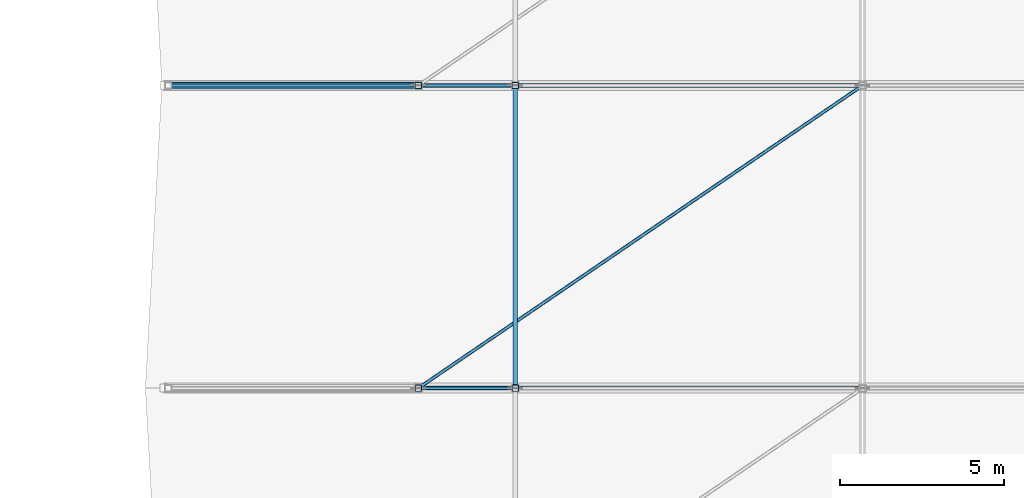
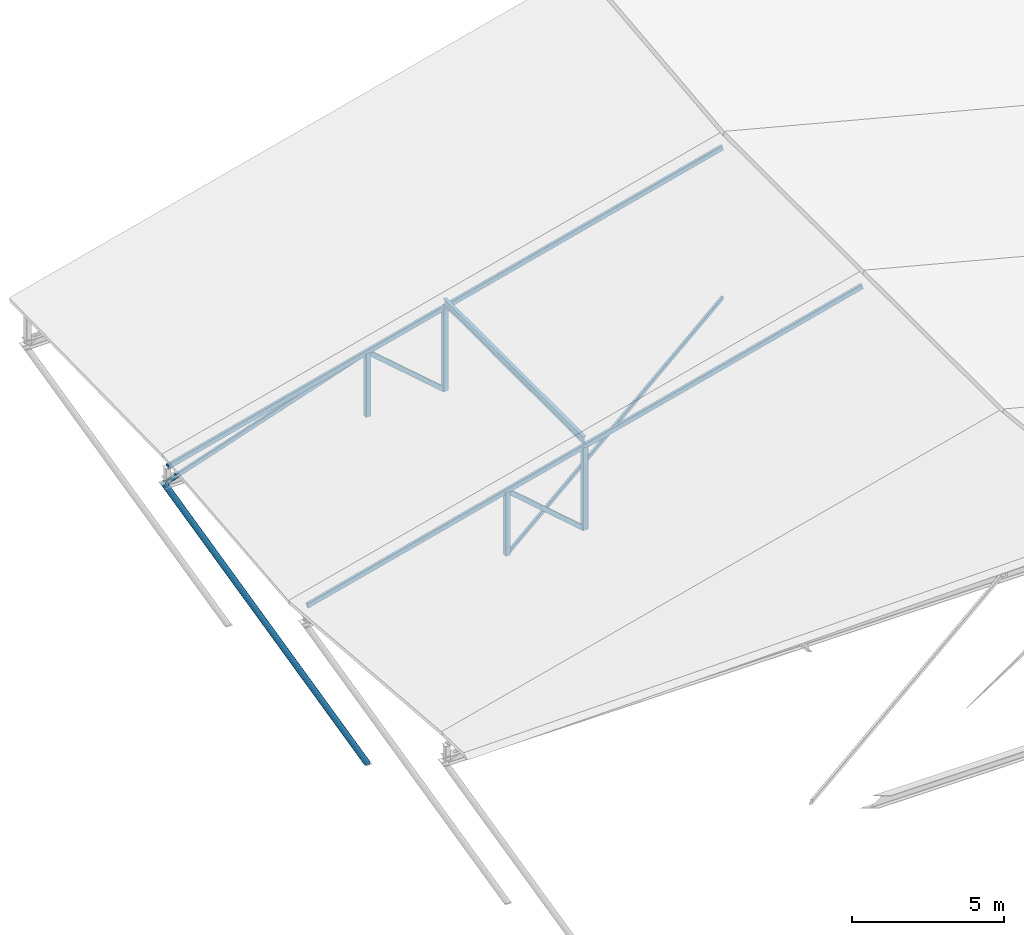
# One storey, part 15 of 56: 12 members.
"""IFC4 building model written with IfcOpenShell, lengths in metres."""

import ifcopenshell
import ifcopenshell.guid

model = None  # the IFC model being written
_history = None  # IfcOwnerHistory: only IFC2X3 demands one
_inside = {}  # id of a spatial element -> (the spatial element, [elements in it])
_under = {}  # id of a project, library or spatial element -> (it, [spatial elements below it])
_declared = {}  # id of a project -> (the project, [libraries it declares])
_typed = {}  # id of a type object -> (the type object, [elements of that type])
_made_of = {}  # id of a material, layer set ... -> (it, [elements and type objects made of it])


def new_model(schema):
    """Start an empty IFC model of exactly this schema.

    Asked for "IFC4X3", IfcOpenShell would pick the latest addendum, in which some entities
    have other attributes; the version numbers below select the first issue.
    IFC2X3 requires an IfcOwnerHistory on every rooted entity: one is made here for all.
    """
    global model, _history
    if schema == "IFC4X3":
        model = ifcopenshell.file(schema_version=(4, 3, 0, 0))
    else:
        model = ifcopenshell.file(schema=schema)
    _inside.clear()
    _under.clear()
    _declared.clear()
    _typed.clear()
    _made_of.clear()
    _history = None
    if model.schema == "IFC2X3":
        org = make("IfcOrganization", Name="unknown")
        user = make(
            "IfcPersonAndOrganization",
            ThePerson=make("IfcPerson", FamilyName="unknown"),
            TheOrganization=org,
        )
        app = make(
            "IfcApplication",
            ApplicationDeveloper=org,
            Version="unknown",
            ApplicationFullName="unknown",
            ApplicationIdentifier="unknown",
        )
        _history = make(
            "IfcOwnerHistory",
            OwningUser=user,
            OwningApplication=app,
            ChangeAction="ADDED",
            CreationDate=0,
        )
    return model


def make(cls, **values):
    """One entity of the class cls with the attributes given. An attribute that is None is left unset."""
    return model.create_entity(
        cls, **{name: value for name, value in values.items() if value is not None}
    )


def rooted(cls, **values):
    """An entity with a GlobalId (a new one), such as an element, a storey or a relation."""
    return make(cls, GlobalId=ifcopenshell.guid.new(), OwnerHistory=_history, **values)


def si_unit(unit_type, name, prefix=None):
    """IfcSIUnit, for example si_unit("LENGTHUNIT", "METRE", prefix="MILLI")."""
    return make("IfcSIUnit", UnitType=unit_type, Prefix=prefix, Name=name)


def assignment(units):
    """IfcUnitAssignment: the units of a project."""
    return None if units is None else make("IfcUnitAssignment", Units=units)


def point(xyz):
    """IfcCartesianPoint."""
    return None if xyz is None else make("IfcCartesianPoint", Coordinates=xyz)


def direction(xyz):
    """IfcDirection."""
    return None if xyz is None else make("IfcDirection", DirectionRatios=xyz)


def frame(location, z_axis=None, x_axis=None):
    """IfcAxis2Placement3D, a coordinate frame: its origin and axes. An axis left out is left unset."""
    return make(
        "IfcAxis2Placement3D",
        Location=point(location),
        Axis=direction(z_axis),
        RefDirection=direction(x_axis),
    )


def frame_2d(location, x_axis=None):
    """IfcAxis2Placement2D, a coordinate frame in the plane: its origin and x axis."""
    return make(
        "IfcAxis2Placement2D", Location=point(location), RefDirection=direction(x_axis)
    )


def origin():
    """The frame at (0, 0, 0) with its axes left unset."""
    return frame((0.0, 0.0, 0.0))


def origin_2d():
    """The frame at (0, 0) in the plane with its x axis left unset."""
    return frame_2d((0.0, 0.0))


def place(relative_to, where):
    """IfcLocalPlacement: puts the frame where relative to a parent placement (None: the world)."""
    return make(
        "IfcLocalPlacement", PlacementRelTo=relative_to, RelativePlacement=where
    )


def context(
    kind, dimensions, precision=None, world=None, true_north=None, identifier=None
):
    """IfcGeometricRepresentationContext, for example the 3D "Model" context."""
    return make(
        "IfcGeometricRepresentationContext",
        ContextIdentifier=identifier,
        ContextType=kind,
        CoordinateSpaceDimension=dimensions,
        Precision=precision,
        WorldCoordinateSystem=world,
        TrueNorth=true_north,
    )


def subcontext(parent, identifier, kind, view, scale=None):
    """IfcGeometricRepresentationSubContext, for example "Body" below "Model"."""
    return make(
        "IfcGeometricRepresentationSubContext",
        ContextIdentifier=identifier,
        ContextType=kind,
        ParentContext=parent,
        TargetScale=scale,
        TargetView=view,
    )


def project(units=None, contexts=None):
    """IfcProject with its units and contexts."""
    return rooted(
        "IfcProject",
        Name="project",
        RepresentationContexts=contexts,
        UnitsInContext=assignment(units),
    )


def spatial(cls, under=None, at=None, **own):
    """A site, building, storey or space (cls), placed at a placement, below another one or the project."""
    s = rooted(cls, ObjectPlacement=at, **own)
    if under is not None:
        _under.setdefault(under.id(), (under, []))[1].append(s)
    return s


def profile(cls, at=None, kind="AREA", **sizes):
    """A parametric profile (cls). Its sizes go by their IFC names, for example OverallWidth=200.0."""
    return make(cls, ProfileType=kind, Position=at, **sizes)


def hollow_rectangle(**sizes):
    """IfcRectangleHollowProfileDef."""
    return profile("IfcRectangleHollowProfileDef", **sizes)


def hollow_circle(**sizes):
    """IfcCircleHollowProfileDef."""
    return profile("IfcCircleHollowProfileDef", **sizes)


def i_section(**sizes):
    """IfcIShapeProfileDef."""
    return profile("IfcIShapeProfileDef", **sizes)


def extrude(swept, where, along, depth):
    """IfcExtrudedAreaSolid: the profile swept, set in the frame where, extruded along a direction by depth."""
    return make(
        "IfcExtrudedAreaSolid",
        SweptArea=swept,
        Position=where,
        ExtrudedDirection=direction(along),
        Depth=depth,
    )


def shape(context_of_items, identifier, shape_type, items):
    """IfcShapeRepresentation: the items that make up one representation, for example the "Body"."""
    return make(
        "IfcShapeRepresentation",
        ContextOfItems=context_of_items,
        RepresentationIdentifier=identifier,
        RepresentationType=shape_type,
        Items=items,
    )


def material(Name=None, Category=None):
    """IfcMaterial."""
    return make("IfcMaterial", Name=Name, Category=Category)


def material_profile(
    of_material, cross_section, Name=None, Category=None, Priority=None
):
    """IfcMaterialProfile: a cross section and its material."""
    return make(
        "IfcMaterialProfile",
        Name=Name,
        Material=of_material,
        Profile=cross_section,
        Priority=Priority,
        Category=Category,
    )


def profile_set(profiles, Name=None, composite=None):
    """IfcMaterialProfileSet."""
    return make(
        "IfcMaterialProfileSet",
        Name=Name,
        MaterialProfiles=profiles,
        CompositeProfile=composite,
    )


def made_of(thing, what):
    """Note that an element or type object is made of a material, layer set ...; save() writes the relation."""
    if what is not None:
        _made_of.setdefault(what.id(), (what, []))[1].append(thing)
    return thing


def type_object(cls, material=None, **own):
    """A type object (cls), such as IfcWallType, which elements share."""
    return made_of(rooted(cls, **own), material)


def element(
    cls,
    number,
    at=None,
    inside=None,
    cuts=None,
    type_object=None,
    material=None,
    context=None,
    identifier="Body",
    shape_type=None,
    held_by="IfcProductDefinitionShape",
    body=None,
    shapes=None,
    **own,
):
    """One element of the class cls, such as IfcWall. Its Tag is "e" and its number.

    at: its placement. inside: the storey or other place that contains it. cuts: it is an
    opening in that element (IfcRelVoidsElement). A single representation is given by context,
    identifier, shape_type and body (its items); several are given by shapes. held_by: the class
    of the entity that holds the representations. save() writes the other relations.
    """
    e = rooted(cls, Tag="e%d" % number, ObjectPlacement=at, **own)
    if body is not None:
        shapes = [shape(context, identifier, shape_type, body)]
    if shapes is not None:
        e.Representation = make(held_by, Representations=shapes)
    if inside is not None:
        _inside.setdefault(inside.id(), (inside, []))[1].append(e)
    if cuts is not None:
        rooted(
            "IfcRelVoidsElement", RelatingBuildingElement=cuts, RelatedOpeningElement=e
        )
    if type_object is not None:
        _typed.setdefault(type_object.id(), (type_object, []))[1].append(e)
    return made_of(e, material)


def aggregate(whole, parts):
    """IfcRelAggregates: a whole, such as a stair, and the parts it consists of."""
    return rooted("IfcRelAggregates", RelatingObject=whole, RelatedObjects=parts)


def save(model, path):
    """Write the relations noted so far, then the file.

    IfcRelAggregates (storeys below a building ...), IfcRelContainedInSpatialStructure (elements
    in a storey), IfcRelDefinesByType, IfcRelAssociatesMaterial and IfcRelDeclares: one each for
    every whole, place, type object, material and project.
    """
    for whole, parts in _under.values():
        aggregate(whole, parts)
    for where, things in _inside.values():
        rooted(
            "IfcRelContainedInSpatialStructure",
            RelatedElements=things,
            RelatingStructure=where,
        )
    for kind, things in _typed.values():
        rooted("IfcRelDefinesByType", RelatedObjects=things, RelatingType=kind)
    for what, things in _made_of.values():
        rooted("IfcRelAssociatesMaterial", RelatedObjects=things, RelatingMaterial=what)
    for by, libraries in _declared.values():
        rooted("IfcRelDeclares", RelatingContext=by, RelatedDefinitions=libraries)
    model.write(path)


model = new_model("IFC4")

# Units and contexts
model_context = context("Model", 3, precision=1e-05, world=origin(), true_north=direction((0.0, 1.0)))
body_context = subcontext(model_context, "Body", "Model", "MODEL_VIEW")
ifc_project = project(units=[si_unit("LENGTHUNIT", "METRE"), si_unit("AREAUNIT", "SQUARE_METRE"), si_unit("VOLUMEUNIT", "CUBIC_METRE"), si_unit("PLANEANGLEUNIT", "RADIAN"), si_unit("MASSUNIT", "GRAM", prefix="KILO")], contexts=[model_context])

# Site, building, storey
site_placement = place(None, origin())
site = spatial("IfcSite", under=ifc_project, at=site_placement, CompositionType="ELEMENT")
building_placement = place(site_placement, origin())
building = spatial("IfcBuilding", under=site, at=building_placement, Name="Bozkorgan Art Gallery", CompositionType="ELEMENT")
storey_placement = place(building_placement, frame((0.0, 0.0, 24.0)))
storey = spatial("IfcBuildingStorey", under=building, at=storey_placement, Name="L05", CompositionType="ELEMENT", Elevation=24.0)

# Members
ifc_material = material(Name="Steel S355J2", Category="steel")
ifc_material_profile_1 = material_profile(ifc_material, hollow_circle(Radius=0.109619140625, WallThickness=0.010009765625, at=origin_2d()), Name="CHS 219.1x10")
ifc_profile_set_1 = profile_set([ifc_material_profile_1], Name="Steel S355J2")
member_type_1 = type_object("IfcMemberType", Name="MEMBER-ES-44", PredefinedType="BRACE", material=ifc_profile_set_1)
member_1_placement = place(storey_placement, frame((74.0, 75.199951171875, -13.800048828125), z_axis=(-0.484367254786, 0.0, 0.874864768116), x_axis=(0.0, -1.0, 0.0)))
element("IfcMember", 1, at=member_1_placement, inside=storey, type_object=member_type_1, Name="ROOF-V4-MAIN west swept-eave diagonal tree-strut 4", PredefinedType="BRACE", context=body_context, shape_type="SweptSolid", body=[
    extrude(hollow_circle(Radius=0.109619140625, WallThickness=0.010009765625, at=origin_2d()), origin(), (0.0, 0.0, 1.0), 15.9794921875),
])
ifc_material_profile_2 = material_profile(ifc_material, i_section(OverallWidth=0.135009765625, OverallDepth=0.27001953125, WebThickness=0.006591796875, FlangeThickness=0.01025390625, FilletRadius=0.014892578125, at=origin_2d()), Name="IPE 270")
ifc_profile_set_2 = profile_set([ifc_material_profile_2], Name="Steel S355J2")
member_type_2 = type_object("IfcMemberType", Name="MEMBER-PR-57", PredefinedType="PURLIN", material=ifc_profile_set_2)
member_2_placement = place(storey_placement, frame((76.949951171875, 66.0, 3.736083984375), z_axis=(0.0, 1.0, 0.0), x_axis=(-1.0, 0.0, 0.0)))
element("IfcMember", 2, at=member_2_placement, inside=storey, type_object=member_type_2, Name="ROOF-V4-MAIN roof purlin 3W", PredefinedType="PURLIN", context=body_context, shape_type="SweptSolid", body=[
    extrude(i_section(OverallWidth=0.135009765625, OverallDepth=0.27001953125, WebThickness=0.006591796875, FlangeThickness=0.01025390625, FilletRadius=0.014892578125, at=origin_2d()), origin(), (0.0, 0.0, 1.0), 9.199951171875),
])
ifc_material_profile_3 = material_profile(ifc_material, hollow_rectangle(XDim=0.1201171875, YDim=0.199951171875, WallThickness=0.008056640625, InnerFilletRadius=0.011962890625, OuterFilletRadius=0.02001953125, at=origin_2d()), Name="RHS 200x120x8")
ifc_profile_set_3 = profile_set([ifc_material_profile_3], Name="Steel S355J2")
member_type_3 = type_object("IfcMemberType", Name="MEMBER-TC-48", PredefinedType="CHORD", material=ifc_profile_set_3)
for number, where, z_axis, x_axis, name in (
    (3, (66.39990234375, 66.0, 0.772705078125), (0.968148409779, 0.0, 0.250377028984), (0.0, 1.0, 0.0), "ROOF-V4-MAIN roof truss 3 west top chord"),
    (4, (66.39990234375, 75.199951171875, 0.772705078125), (0.968148409779, 0.0, 0.250377028984), (0.0, 1.0, 0.0), "ROOF-V4-MAIN roof truss 4 west top chord"),
):
    element("IfcMember", number, at=place(storey_placement, frame(where, z_axis=z_axis, x_axis=x_axis)), inside=storey, type_object=member_type_3, Name=name, PredefinedType="CHORD", context=body_context, shape_type="SweptSolid", body=[
        extrude(hollow_rectangle(XDim=0.1201171875, YDim=0.199951171875, WallThickness=0.008056640625, InnerFilletRadius=0.011962890625, OuterFilletRadius=0.02001953125, at=origin_2d()), origin(), (0.0, 0.0, 1.0), 21.794189453125),
    ])
ifc_material_profile_4 = material_profile(ifc_material, hollow_rectangle(XDim=0.199951171875, YDim=0.199951171875, WallThickness=0.010009765625, InnerFilletRadius=0.014892578125, OuterFilletRadius=0.02490234375, at=origin_2d()), Name="SHS 200x200x10")
ifc_profile_set_4 = profile_set([ifc_material_profile_4], Name="Steel S355J2")
member_type_4 = type_object("IfcMemberType", Name="MEMBER-TP-32", PredefinedType="POST", material=ifc_profile_set_4)
member_3_placement = place(storey_placement, frame((74.0, 66.0, 0.179931640625), z_axis=(0.0, 0.0, 1.0), x_axis=(1.0, 0.0, 0.0)))
element("IfcMember", 5, at=member_3_placement, inside=storey, type_object=member_type_4, Name="ROOF-V4-MAIN roof truss 3 post 1", PredefinedType="POST", context=body_context, shape_type="SweptSolid", body=[
    extrude(hollow_rectangle(XDim=0.199951171875, YDim=0.199951171875, WallThickness=0.010009765625, InnerFilletRadius=0.014892578125, OuterFilletRadius=0.02490234375, at=origin_2d()), origin(), (0.0, 0.0, 1.0), 2.55810546875),
])
member_4_placement = place(storey_placement, frame((76.949951171875, 66.0, 0.179931640625), z_axis=(0.0, 0.0, 1.0), x_axis=(1.0, 0.0, 0.0)))
element("IfcMember", 6, at=member_4_placement, inside=storey, type_object=member_type_4, Name="ROOF-V4-MAIN roof truss 3 post 2", PredefinedType="POST", context=body_context, shape_type="SweptSolid", body=[
    extrude(hollow_rectangle(XDim=0.199951171875, YDim=0.199951171875, WallThickness=0.010009765625, InnerFilletRadius=0.014892578125, OuterFilletRadius=0.02490234375, at=origin_2d()), origin(), (0.0, 0.0, 1.0), 3.321044921875),
])
member_5_placement = place(storey_placement, frame((74.0, 75.199951171875, 0.179931640625), z_axis=(0.0, 0.0, 1.0), x_axis=(1.0, 0.0, 0.0)))
element("IfcMember", 7, at=member_5_placement, inside=storey, type_object=member_type_4, Name="ROOF-V4-MAIN roof truss 4 post 1", PredefinedType="POST", context=body_context, shape_type="SweptSolid", body=[
    extrude(hollow_rectangle(XDim=0.199951171875, YDim=0.199951171875, WallThickness=0.010009765625, InnerFilletRadius=0.014892578125, OuterFilletRadius=0.02490234375, at=origin_2d()), origin(), (0.0, 0.0, 1.0), 2.55810546875),
])
member_6_placement = place(storey_placement, frame((76.949951171875, 75.199951171875, 0.179931640625), z_axis=(0.0, 0.0, 1.0), x_axis=(1.0, 0.0, 0.0)))
element("IfcMember", 8, at=member_6_placement, inside=storey, type_object=member_type_4, Name="ROOF-V4-MAIN roof truss 4 post 2", PredefinedType="POST", context=body_context, shape_type="SweptSolid", body=[
    extrude(hollow_rectangle(XDim=0.199951171875, YDim=0.199951171875, WallThickness=0.010009765625, InnerFilletRadius=0.014892578125, OuterFilletRadius=0.02490234375, at=origin_2d()), origin(), (0.0, 0.0, 1.0), 3.321044921875),
])
ifc_material_profile_5 = material_profile(ifc_material, hollow_rectangle(XDim=0.10009765625, YDim=0.179931640625, WallThickness=0.008056640625, InnerFilletRadius=0.011962890625, OuterFilletRadius=0.02001953125, at=origin_2d()), Name="RHS 180x100x8")
ifc_profile_set_5 = profile_set([ifc_material_profile_5], Name="Steel S355J2")
member_type_5 = type_object("IfcMemberType", Name="MEMBER-TW-22", PredefinedType="BRACE", material=ifc_profile_set_5)
member_7_placement = place(storey_placement, frame((74.0, 66.0, 2.738037109375), z_axis=(0.755501315133, 0.0, -0.655147130676), x_axis=(0.0, 1.0, 0.0)))
element("IfcMember", 9, at=member_7_placement, inside=storey, type_object=member_type_5, Name="ROOF-V4-MAIN roof truss 3 diagonal 2", PredefinedType="BRACE", context=body_context, shape_type="SweptSolid", body=[
    extrude(hollow_rectangle(XDim=0.10009765625, YDim=0.179931640625, WallThickness=0.008056640625, InnerFilletRadius=0.011962890625, OuterFilletRadius=0.02001953125, at=origin_2d()), origin(), (0.0, 0.0, 1.0), 3.904541015625),
])
member_8_placement = place(storey_placement, frame((66.39990234375, 75.199951171875, 0.179931640625), z_axis=(0.947753705978, 0.0, 0.319002998112), x_axis=(0.0, 1.0, 0.0)))
element("IfcMember", 10, at=member_8_placement, inside=storey, type_object=member_type_5, Name="ROOF-V4-MAIN roof truss 4 diagonal 1", PredefinedType="BRACE", context=body_context, shape_type="SweptSolid", body=[
    extrude(hollow_rectangle(XDim=0.10009765625, YDim=0.179931640625, WallThickness=0.008056640625, InnerFilletRadius=0.011962890625, OuterFilletRadius=0.02001953125, at=origin_2d()), origin(), (0.0, 0.0, 1.0), 8.01904296875),
])
member_9_placement = place(storey_placement, frame((74.0, 75.199951171875, 2.738037109375), z_axis=(0.755501315133, 0.0, -0.655147130676), x_axis=(0.0, 1.0, 0.0)))
element("IfcMember", 11, at=member_9_placement, inside=storey, type_object=member_type_5, Name="ROOF-V4-MAIN roof truss 4 diagonal 2", PredefinedType="BRACE", context=body_context, shape_type="SweptSolid", body=[
    extrude(hollow_rectangle(XDim=0.10009765625, YDim=0.179931640625, WallThickness=0.008056640625, InnerFilletRadius=0.011962890625, OuterFilletRadius=0.02001953125, at=origin_2d()), origin(), (0.0, 0.0, 1.0), 3.904541015625),
])
ifc_material_profile_6 = material_profile(ifc_material, hollow_rectangle(XDim=0.10009765625, YDim=0.14990234375, WallThickness=0.008056640625, InnerFilletRadius=0.011962890625, OuterFilletRadius=0.02001953125, at=origin_2d()), Name="RHS 150x100x8")
ifc_profile_set_6 = profile_set([ifc_material_profile_6], Name="Steel S355J2")
member_type_6 = type_object("IfcMemberType", Name="MEMBER-WB-10", PredefinedType="BRACE", material=ifc_profile_set_6)
member_10_placement = place(storey_placement, frame((74.0, 66.0, 0.179931640625), z_axis=(0.826358214582, 0.563144831454, 0.0), x_axis=(-0.563144831454, 0.826358214582, 0.0)))
element("IfcMember", 12, at=member_10_placement, inside=storey, type_object=member_type_6, Name="ROOF-V4-MAIN roof diaphragm wind brace 3", PredefinedType="BRACE", context=body_context, shape_type="SweptSolid", body=[
    extrude(hollow_rectangle(XDim=0.10009765625, YDim=0.14990234375, WallThickness=0.008056640625, InnerFilletRadius=0.011962890625, OuterFilletRadius=0.02001953125, at=origin_2d()), origin(), (0.0, 0.0, 1.0), 16.336669921875),
])

save(model, "model.ifc")
